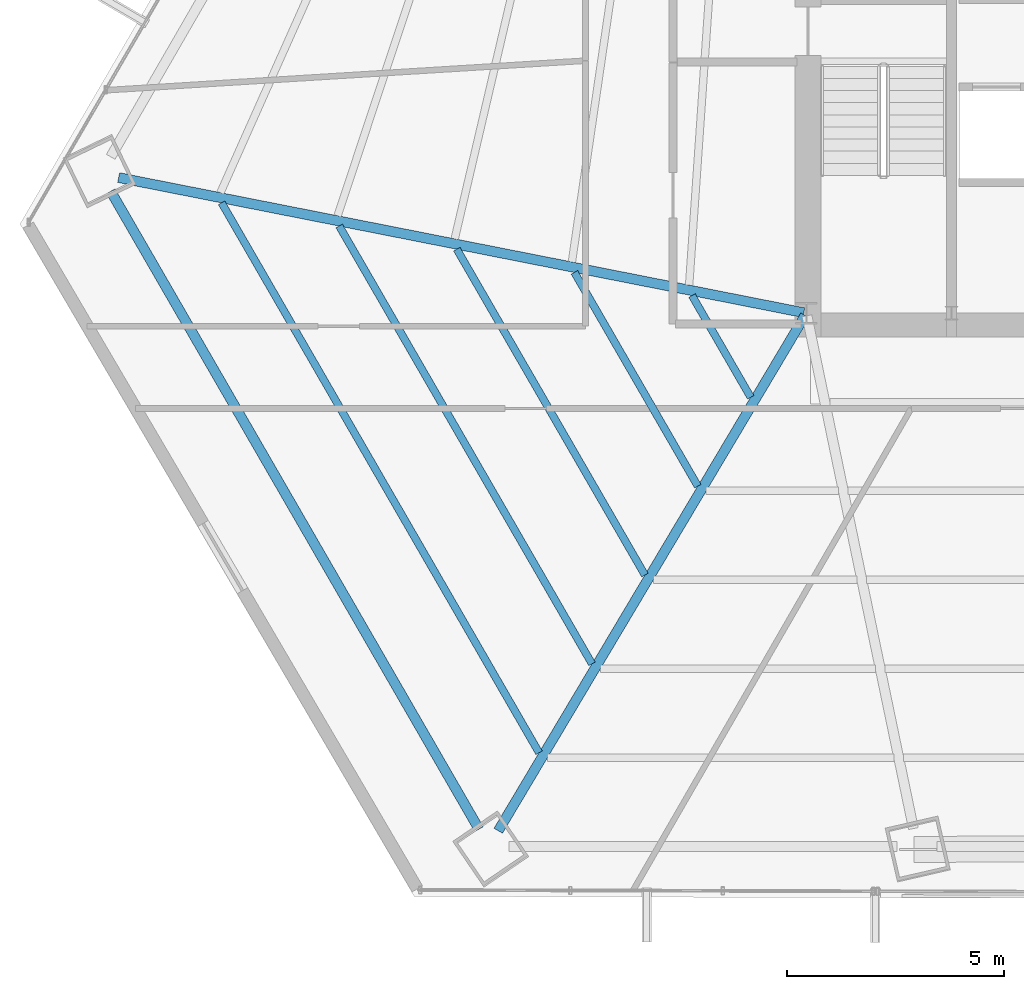
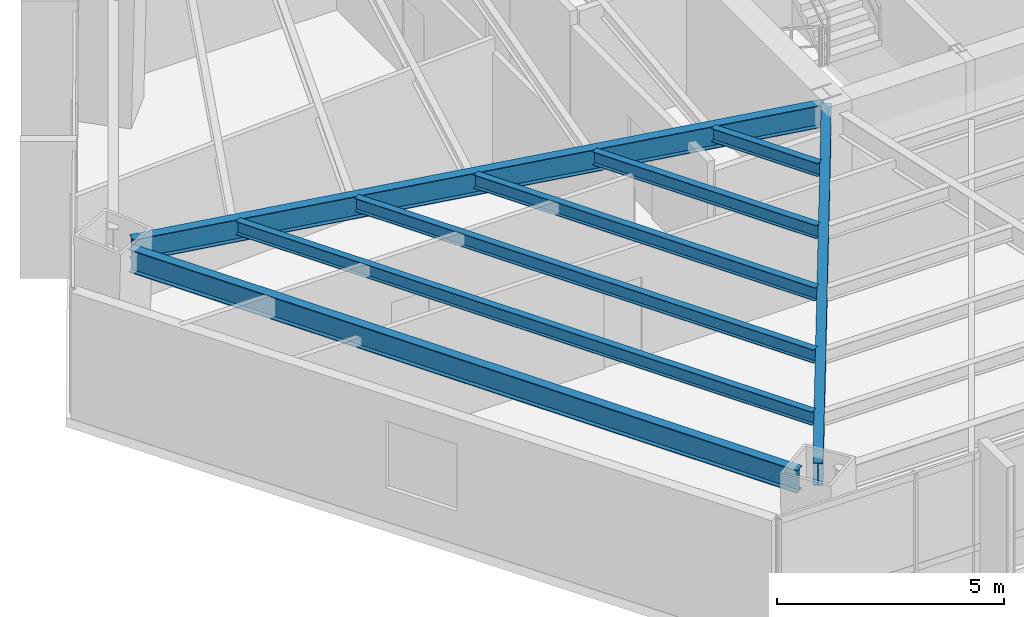
# One storey, part 4 of 33: 8 beams.
"""IFC4 building model written with IfcOpenShell, lengths in metres."""

import ifcopenshell
import ifcopenshell.guid

model = None  # the IFC model being written
_history = None  # IfcOwnerHistory: only IFC2X3 demands one
_inside = {}  # id of a spatial element -> (the spatial element, [elements in it])
_under = {}  # id of a project, library or spatial element -> (it, [spatial elements below it])
_declared = {}  # id of a project -> (the project, [libraries it declares])
_typed = {}  # id of a type object -> (the type object, [elements of that type])
_made_of = {}  # id of a material, layer set ... -> (it, [elements and type objects made of it])


def new_model(schema):
    """Start an empty IFC model of exactly this schema.

    Asked for "IFC4X3", IfcOpenShell would pick the latest addendum, in which some entities
    have other attributes; the version numbers below select the first issue.
    IFC2X3 requires an IfcOwnerHistory on every rooted entity: one is made here for all.
    """
    global model, _history
    if schema == "IFC4X3":
        model = ifcopenshell.file(schema_version=(4, 3, 0, 0))
    else:
        model = ifcopenshell.file(schema=schema)
    _inside.clear()
    _under.clear()
    _declared.clear()
    _typed.clear()
    _made_of.clear()
    _history = None
    if model.schema == "IFC2X3":
        org = make("IfcOrganization", Name="unknown")
        user = make(
            "IfcPersonAndOrganization",
            ThePerson=make("IfcPerson", FamilyName="unknown"),
            TheOrganization=org,
        )
        app = make(
            "IfcApplication",
            ApplicationDeveloper=org,
            Version="unknown",
            ApplicationFullName="unknown",
            ApplicationIdentifier="unknown",
        )
        _history = make(
            "IfcOwnerHistory",
            OwningUser=user,
            OwningApplication=app,
            ChangeAction="ADDED",
            CreationDate=0,
        )
    return model


def make(cls, **values):
    """One entity of the class cls with the attributes given. An attribute that is None is left unset."""
    return model.create_entity(
        cls, **{name: value for name, value in values.items() if value is not None}
    )


def rooted(cls, **values):
    """An entity with a GlobalId (a new one), such as an element, a storey or a relation."""
    return make(cls, GlobalId=ifcopenshell.guid.new(), OwnerHistory=_history, **values)


def si_unit(unit_type, name, prefix=None):
    """IfcSIUnit, for example si_unit("LENGTHUNIT", "METRE", prefix="MILLI")."""
    return make("IfcSIUnit", UnitType=unit_type, Prefix=prefix, Name=name)


def assignment(units):
    """IfcUnitAssignment: the units of a project."""
    return None if units is None else make("IfcUnitAssignment", Units=units)


def point(xyz):
    """IfcCartesianPoint."""
    return None if xyz is None else make("IfcCartesianPoint", Coordinates=xyz)


def direction(xyz):
    """IfcDirection."""
    return None if xyz is None else make("IfcDirection", DirectionRatios=xyz)


def frame(location, z_axis=None, x_axis=None):
    """IfcAxis2Placement3D, a coordinate frame: its origin and axes. An axis left out is left unset."""
    return make(
        "IfcAxis2Placement3D",
        Location=point(location),
        Axis=direction(z_axis),
        RefDirection=direction(x_axis),
    )


def frame_2d(location, x_axis=None):
    """IfcAxis2Placement2D, a coordinate frame in the plane: its origin and x axis."""
    return make(
        "IfcAxis2Placement2D", Location=point(location), RefDirection=direction(x_axis)
    )


def origin():
    """The frame at (0, 0, 0) with its axes left unset."""
    return frame((0.0, 0.0, 0.0))


def origin_2d():
    """The frame at (0, 0) in the plane with its x axis left unset."""
    return frame_2d((0.0, 0.0))


def place(relative_to, where):
    """IfcLocalPlacement: puts the frame where relative to a parent placement (None: the world)."""
    return make(
        "IfcLocalPlacement", PlacementRelTo=relative_to, RelativePlacement=where
    )


def context(
    kind, dimensions, precision=None, world=None, true_north=None, identifier=None
):
    """IfcGeometricRepresentationContext, for example the 3D "Model" context."""
    return make(
        "IfcGeometricRepresentationContext",
        ContextIdentifier=identifier,
        ContextType=kind,
        CoordinateSpaceDimension=dimensions,
        Precision=precision,
        WorldCoordinateSystem=world,
        TrueNorth=true_north,
    )


def subcontext(parent, identifier, kind, view, scale=None):
    """IfcGeometricRepresentationSubContext, for example "Body" below "Model"."""
    return make(
        "IfcGeometricRepresentationSubContext",
        ContextIdentifier=identifier,
        ContextType=kind,
        ParentContext=parent,
        TargetScale=scale,
        TargetView=view,
    )


def project(units=None, contexts=None):
    """IfcProject with its units and contexts."""
    return rooted(
        "IfcProject",
        Name="project",
        RepresentationContexts=contexts,
        UnitsInContext=assignment(units),
    )


def spatial(cls, under=None, at=None, **own):
    """A site, building, storey or space (cls), placed at a placement, below another one or the project."""
    s = rooted(cls, ObjectPlacement=at, **own)
    if under is not None:
        _under.setdefault(under.id(), (under, []))[1].append(s)
    return s


def profile(cls, at=None, kind="AREA", **sizes):
    """A parametric profile (cls). Its sizes go by their IFC names, for example OverallWidth=200.0."""
    return make(cls, ProfileType=kind, Position=at, **sizes)


def i_section(**sizes):
    """IfcIShapeProfileDef."""
    return profile("IfcIShapeProfileDef", **sizes)


def extrude(swept, where, along, depth):
    """IfcExtrudedAreaSolid: the profile swept, set in the frame where, extruded along a direction by depth."""
    return make(
        "IfcExtrudedAreaSolid",
        SweptArea=swept,
        Position=where,
        ExtrudedDirection=direction(along),
        Depth=depth,
    )


def shape(context_of_items, identifier, shape_type, items):
    """IfcShapeRepresentation: the items that make up one representation, for example the "Body"."""
    return make(
        "IfcShapeRepresentation",
        ContextOfItems=context_of_items,
        RepresentationIdentifier=identifier,
        RepresentationType=shape_type,
        Items=items,
    )


def source(mapping_origin, context_of_items, identifier, shape_type, items):
    """IfcRepresentationMap: a shape defined once, which mapped items show again and again."""
    return make(
        "IfcRepresentationMap",
        MappingOrigin=mapping_origin,
        MappedRepresentation=shape(context_of_items, identifier, shape_type, items),
    )


def transform(
    local_origin,
    x_axis=None,
    y_axis=None,
    z_axis=None,
    scale=None,
    scale2=None,
    scale3=None,
    uniform=True,
):
    """IfcCartesianTransformationOperator3D, or its non-uniform kind. x_axis, y_axis, z_axis: its Axis1, 2, 3."""
    if uniform:
        return make(
            "IfcCartesianTransformationOperator3D",
            Axis1=direction(x_axis),
            Axis2=direction(y_axis),
            LocalOrigin=point(local_origin),
            Scale=scale,
            Axis3=direction(z_axis),
        )
    return make(
        "IfcCartesianTransformationOperator3DnonUniform",
        Axis1=direction(x_axis),
        Axis2=direction(y_axis),
        LocalOrigin=point(local_origin),
        Scale=scale,
        Axis3=direction(z_axis),
        Scale2=scale2,
        Scale3=scale3,
    )


def mapped(mapping_source, mapping_target):
    """IfcMappedItem: shows the shape of a source again, moved by a transform."""
    return make(
        "IfcMappedItem", MappingSource=mapping_source, MappingTarget=mapping_target
    )


def material(Name=None, Category=None):
    """IfcMaterial."""
    return make("IfcMaterial", Name=Name, Category=Category)


def material_profile(
    of_material, cross_section, Name=None, Category=None, Priority=None
):
    """IfcMaterialProfile: a cross section and its material."""
    return make(
        "IfcMaterialProfile",
        Name=Name,
        Material=of_material,
        Profile=cross_section,
        Priority=Priority,
        Category=Category,
    )


def profile_set(profiles, Name=None, composite=None):
    """IfcMaterialProfileSet."""
    return make(
        "IfcMaterialProfileSet",
        Name=Name,
        MaterialProfiles=profiles,
        CompositeProfile=composite,
    )


def made_of(thing, what):
    """Note that an element or type object is made of a material, layer set ...; save() writes the relation."""
    if what is not None:
        _made_of.setdefault(what.id(), (what, []))[1].append(thing)
    return thing


def type_object(cls, material=None, **own):
    """A type object (cls), such as IfcWallType, which elements share."""
    return made_of(rooted(cls, **own), material)


def type_shapes(of_type, sources):
    """Give a type object the sources (RepresentationMaps) that its elements show as mapped items."""
    of_type.RepresentationMaps = sources


def element(
    cls,
    number,
    at=None,
    inside=None,
    cuts=None,
    type_object=None,
    material=None,
    context=None,
    identifier="Body",
    shape_type=None,
    held_by="IfcProductDefinitionShape",
    body=None,
    shapes=None,
    **own,
):
    """One element of the class cls, such as IfcWall. Its Tag is "e" and its number.

    at: its placement. inside: the storey or other place that contains it. cuts: it is an
    opening in that element (IfcRelVoidsElement). A single representation is given by context,
    identifier, shape_type and body (its items); several are given by shapes. held_by: the class
    of the entity that holds the representations. save() writes the other relations.
    """
    e = rooted(cls, Tag="e%d" % number, ObjectPlacement=at, **own)
    if body is not None:
        shapes = [shape(context, identifier, shape_type, body)]
    if shapes is not None:
        e.Representation = make(held_by, Representations=shapes)
    if inside is not None:
        _inside.setdefault(inside.id(), (inside, []))[1].append(e)
    if cuts is not None:
        rooted(
            "IfcRelVoidsElement", RelatingBuildingElement=cuts, RelatedOpeningElement=e
        )
    if type_object is not None:
        _typed.setdefault(type_object.id(), (type_object, []))[1].append(e)
    return made_of(e, material)


def aggregate(whole, parts):
    """IfcRelAggregates: a whole, such as a stair, and the parts it consists of."""
    return rooted("IfcRelAggregates", RelatingObject=whole, RelatedObjects=parts)


def save(model, path):
    """Write the relations noted so far, then the file.

    IfcRelAggregates (storeys below a building ...), IfcRelContainedInSpatialStructure (elements
    in a storey), IfcRelDefinesByType, IfcRelAssociatesMaterial and IfcRelDeclares: one each for
    every whole, place, type object, material and project.
    """
    for whole, parts in _under.values():
        aggregate(whole, parts)
    for where, things in _inside.values():
        rooted(
            "IfcRelContainedInSpatialStructure",
            RelatedElements=things,
            RelatingStructure=where,
        )
    for kind, things in _typed.values():
        rooted("IfcRelDefinesByType", RelatedObjects=things, RelatingType=kind)
    for what, things in _made_of.values():
        rooted("IfcRelAssociatesMaterial", RelatedObjects=things, RelatingMaterial=what)
    for by, libraries in _declared.values():
        rooted("IfcRelDeclares", RelatingContext=by, RelatedDefinitions=libraries)
    model.write(path)


model = new_model("IFC4")

# Units and contexts
model_context = context("Model", 3, precision=1e-05, world=origin(), true_north=direction((0.0, 1.0)))
body_context = subcontext(model_context, "Body", "Model", "MODEL_VIEW")
ifc_project = project(units=[si_unit("LENGTHUNIT", "METRE"), si_unit("AREAUNIT", "SQUARE_METRE"), si_unit("VOLUMEUNIT", "CUBIC_METRE"), si_unit("PLANEANGLEUNIT", "RADIAN"), si_unit("MASSUNIT", "GRAM", prefix="KILO")], contexts=[model_context])

# Site, building, storey
site_placement = place(None, origin())
site = spatial("IfcSite", under=ifc_project, at=site_placement, CompositionType="ELEMENT")
building_placement = place(site_placement, origin())
building = spatial("IfcBuilding", under=site, at=building_placement, Name="Caelisora Broadcast Tower", CompositionType="ELEMENT")
storey_placement = place(building_placement, frame((0.0, 0.0, 38.550048828125)))
storey = spatial("IfcBuildingStorey", under=building, at=storey_placement, Name="L09", CompositionType="ELEMENT", Elevation=38.550048828125)

# Beams
ifc_material = material(Name="Steel Grade 350 (AS/NZS 3679.1)", Category="steel")
ifc_material_profile_1 = material_profile(ifc_material, i_section(OverallWidth=0.22900390625, OverallDepth=0.611572265625, WebThickness=0.011962890625, FlangeThickness=0.01953125, at=origin_2d()), Name="Steel Grade 350 (AS/NZS 3679.1)")
ifc_profile_set_1 = profile_set([ifc_material_profile_1], Name="Steel Grade 350 (AS/NZS 3679.1)")
beam_type_1 = type_object("IfcBeamType", Name="PG03", PredefinedType="BEAM", material=ifc_profile_set_1)
shared_shape_1 = source(origin(), body_context, "Body", "SweptSolid", [
    extrude(i_section(OverallWidth=0.22900390625, OverallDepth=0.611572265625, WebThickness=0.011962890625, FlangeThickness=0.01953125, at=origin_2d()), origin(), (0.0, 0.0, 1.0), 17.00537109375),
])
type_shapes(beam_type_1, [shared_shape_1])
beam_1_placement = place(storey_placement, frame((14.438232421875, 20.214599609375, 3.09423828125), z_axis=(0.500000829766, -0.866024924718, 0.0), x_axis=(0.866024924718, 0.500000829766, 0.0)))
element("IfcBeam", 1, at=beam_1_placement, inside=storey, type_object=beam_type_1, Name="L09 beam PG03", PredefinedType="BEAM", context=body_context, shape_type="MappedRepresentation", body=[
    mapped(shared_shape_1, transform((0.0, 0.0, 0.0), scale=1.0)),
])
ifc_material_profile_2 = material_profile(ifc_material, i_section(OverallWidth=0.22802734375, OverallDepth=0.602294921875, WebThickness=0.010498046875, FlangeThickness=0.014892578125, at=origin_2d()), Name="Steel Grade 350 (AS/NZS 3679.1)")
ifc_profile_set_2 = profile_set([ifc_material_profile_2], Name="Steel Grade 350 (AS/NZS 3679.1)")
beam_type_2 = type_object("IfcBeamType", Name="PG04", PredefinedType="BEAM", material=ifc_profile_set_2)
shared_shape_2 = source(origin(), body_context, "Body", "SweptSolid", [
    extrude(i_section(OverallWidth=0.22802734375, OverallDepth=0.602294921875, WebThickness=0.010498046875, FlangeThickness=0.014892578125, at=origin_2d()), origin(), (0.0, 0.0, 1.0), 16.12548828125),
])
beam_2_placement = place(storey_placement, frame((30.441162109375, 17.41162109375, 3.098876953125), z_axis=(-0.98110240051, 0.193489223766, 0.0), x_axis=(-0.193489223766, -0.98110240051, 0.0)))
element("IfcBeam", 2, at=beam_2_placement, inside=storey, type_object=beam_type_2, Name="L09 beam PG04", PredefinedType="BEAM", context=body_context, shape_type="MappedRepresentation", body=[
    mapped(shared_shape_2, transform((0.0, 0.0, 0.0), scale=1.0)),
])
shared_shape_3 = source(origin(), body_context, "Body", "SweptSolid", [
    extrude(i_section(OverallWidth=0.22802734375, OverallDepth=0.602294921875, WebThickness=0.010498046875, FlangeThickness=0.014892578125, at=origin_2d()), origin(), (0.0, 0.0, 1.0), 13.84716796875),
])
type_shapes(beam_type_2, [shared_shape_2, shared_shape_3])
beam_3_placement = place(storey_placement, frame((30.46923828125, 17.348388671875, 3.098876953125), z_axis=(-0.511549880934, -0.859253582661, 0.0), x_axis=(0.859253582661, -0.511549880934, 0.0)))
element("IfcBeam", 3, at=beam_3_placement, inside=storey, type_object=beam_type_2, Name="L09 beam PG04", PredefinedType="BEAM", context=body_context, shape_type="MappedRepresentation", body=[
    mapped(shared_shape_3, transform((0.0, 0.0, 0.0), scale=1.0)),
])
ifc_material_profile_3 = material_profile(ifc_material, i_section(OverallWidth=0.172119140625, OverallDepth=0.358642578125, WebThickness=0.008056640625, FlangeThickness=0.012939453125, at=origin_2d()), Name="Steel Grade 350 (AS/NZS 3679.1)")
ifc_profile_set_3 = profile_set([ifc_material_profile_3], Name="Steel Grade 350 (AS/NZS 3679.1)")
beam_type_3 = type_object("IfcBeamType", Name="SB02", PredefinedType="JOIST", material=ifc_profile_set_3)
shared_shape_4 = source(origin(), body_context, "Body", "SweptSolid", [
    extrude(i_section(OverallWidth=0.172119140625, OverallDepth=0.358642578125, WebThickness=0.008056640625, FlangeThickness=0.012939453125, at=origin_2d()), origin(), (0.0, 0.0, 1.0), 2.71142578125),
])
beam_4_placement = place(storey_placement, frame((27.85888671875, 17.806884765625, 3.220703125), z_axis=(0.500003046405, -0.866023644935, 0.0), x_axis=(0.866023644935, 0.500003046405, 0.0)))
element("IfcBeam", 4, at=beam_4_placement, inside=storey, type_object=beam_type_3, Name="L09 beam SB02", PredefinedType="JOIST", context=body_context, shape_type="MappedRepresentation", body=[
    mapped(shared_shape_4, transform((0.0, 0.0, 0.0), scale=1.0)),
])
shared_shape_5 = source(origin(), body_context, "Body", "SweptSolid", [
    extrude(i_section(OverallWidth=0.172119140625, OverallDepth=0.358642578125, WebThickness=0.008056640625, FlangeThickness=0.012939453125, at=origin_2d()), origin(), (0.0, 0.0, 1.0), 5.69921875),
])
beam_5_placement = place(storey_placement, frame((25.1435546875, 18.342529296875, 3.220703125), z_axis=(0.500009219579, -0.866020080793, 0.0), x_axis=(0.866020080793, 0.500009219579, 0.0)))
element("IfcBeam", 5, at=beam_5_placement, inside=storey, type_object=beam_type_3, Name="L09 beam SB02", PredefinedType="JOIST", context=body_context, shape_type="MappedRepresentation", body=[
    mapped(shared_shape_5, transform((0.0, 0.0, 0.0), scale=1.0)),
])
shared_shape_6 = source(origin(), body_context, "Body", "SweptSolid", [
    extrude(i_section(OverallWidth=0.172119140625, OverallDepth=0.358642578125, WebThickness=0.008056640625, FlangeThickness=0.012939453125, at=origin_2d()), origin(), (0.0, 0.0, 1.0), 8.686767578125),
])
beam_6_placement = place(storey_placement, frame((22.42822265625, 18.8779296875, 3.220703125), z_axis=(0.500011146402, -0.866018968311, 0.0), x_axis=(0.866018968311, 0.500011146402, 0.0)))
element("IfcBeam", 6, at=beam_6_placement, inside=storey, type_object=beam_type_3, Name="L09 beam SB02", PredefinedType="JOIST", context=body_context, shape_type="MappedRepresentation", body=[
    mapped(shared_shape_6, transform((0.0, 0.0, 0.0), scale=1.0)),
])
shared_shape_7 = source(origin(), body_context, "Body", "SweptSolid", [
    extrude(i_section(OverallWidth=0.172119140625, OverallDepth=0.358642578125, WebThickness=0.008056640625, FlangeThickness=0.012939453125, at=origin_2d()), origin(), (0.0, 0.0, 1.0), 11.67431640625),
])
beam_7_placement = place(storey_placement, frame((19.713134765625, 19.41357421875, 3.220703125), z_axis=(0.499996402825, -0.866027480605, 0.0), x_axis=(0.866027480605, 0.499996402825, 0.0)))
element("IfcBeam", 7, at=beam_7_placement, inside=storey, type_object=beam_type_3, Name="L09 beam SB02", PredefinedType="JOIST", context=body_context, shape_type="MappedRepresentation", body=[
    mapped(shared_shape_7, transform((0.0, 0.0, 0.0), scale=1.0)),
])
shared_shape_8 = source(origin(), body_context, "Body", "SweptSolid", [
    extrude(i_section(OverallWidth=0.172119140625, OverallDepth=0.358642578125, WebThickness=0.008056640625, FlangeThickness=0.012939453125, at=origin_2d()), origin(), (0.0, 0.0, 1.0), 14.661865234375),
])
type_shapes(beam_type_3, [shared_shape_4, shared_shape_5, shared_shape_6, shared_shape_7, shared_shape_8])
beam_8_placement = place(storey_placement, frame((16.997802734375, 19.94921875, 3.220703125), z_axis=(0.499987667596, -0.866032523784, 0.0), x_axis=(0.866032523784, 0.499987667596, 0.0)))
element("IfcBeam", 8, at=beam_8_placement, inside=storey, type_object=beam_type_3, Name="L09 beam SB02", PredefinedType="JOIST", context=body_context, shape_type="MappedRepresentation", body=[
    mapped(shared_shape_8, transform((0.0, 0.0, 0.0), scale=1.0)),
])

save(model, "model.ifc")
